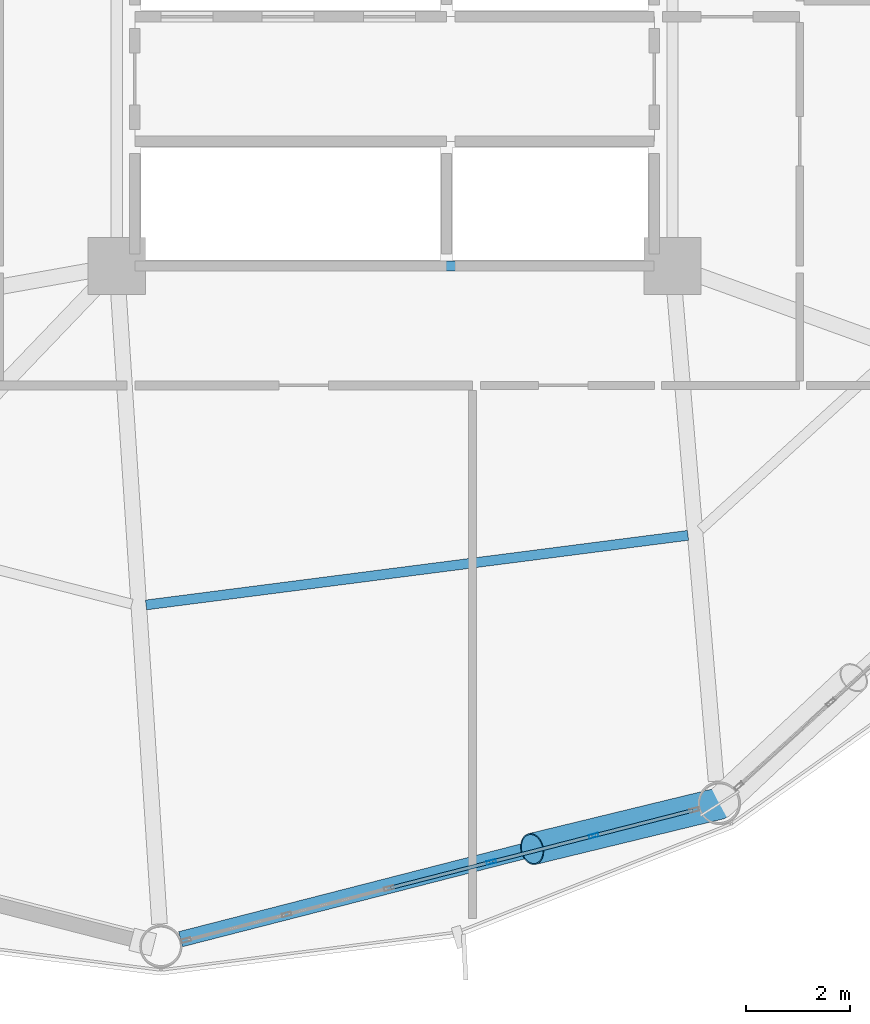
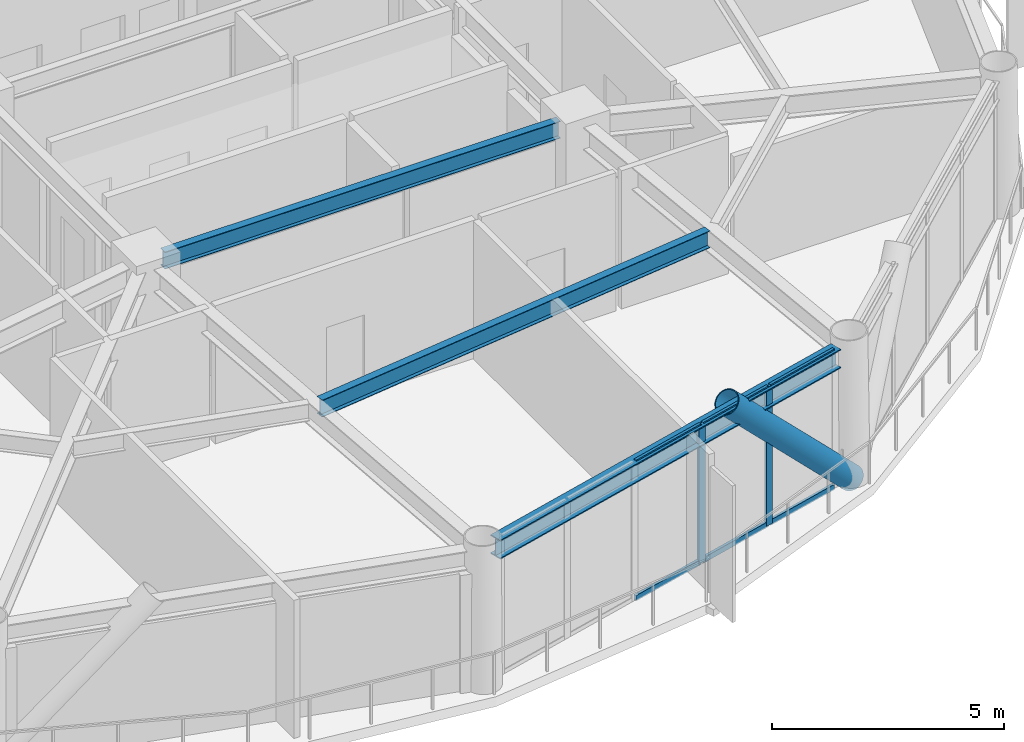
# One storey, part 6 of 25: 9 members, 3 beams, 1 element without a shape of its own.
"""IFC4 building model written with IfcOpenShell, lengths in metres."""

from ifc_helpers import new_model, si_unit, direction, frame, origin, origin_2d, place, context, subcontext, project, spatial, hollow_rectangle, hollow_circle, i_section, extrude, material, layer, layer_set, material_profile, profile_set, type_object, element, aggregate, save


model = new_model("IFC4")

# Units and contexts
model_context = context("Model", 3, precision=1e-05, world=origin(), true_north=direction((0.0, 1.0)))
body_context = subcontext(model_context, "Body", "Model", "MODEL_VIEW")
ifc_project = project(units=[si_unit("LENGTHUNIT", "METRE"), si_unit("AREAUNIT", "SQUARE_METRE"), si_unit("VOLUMEUNIT", "CUBIC_METRE"), si_unit("PLANEANGLEUNIT", "RADIAN"), si_unit("MASSUNIT", "GRAM", prefix="KILO")], contexts=[model_context])

# Site, building, storey
site_placement = place(None, origin())
site = spatial("IfcSite", under=ifc_project, at=site_placement, CompositionType="ELEMENT")
building_placement = place(site_placement, origin())
building = spatial("IfcBuilding", under=site, at=building_placement, Name="Varnakorn Sky Granary", CompositionType="ELEMENT")
storey_placement = place(building_placement, frame((0.0, 0.0, 99.300048828125)))
storey = spatial("IfcBuildingStorey", under=building, at=storey_placement, Name="L24", CompositionType="ELEMENT", Elevation=99.300048828125)

# Beams
ifc_material_1 = material(Name="Steel S355JR", Category="steel")
ifc_material_profile_1 = material_profile(ifc_material_1, i_section(OverallWidth=0.18994140625, OverallDepth=0.449951171875, WebThickness=0.009521484375, FlangeThickness=0.0146484375, at=origin_2d()), Name="IPE 450")
ifc_profile_set_1 = profile_set([ifc_material_profile_1], Name="Steel S355JR")
beam_type_1 = type_object("IfcBeamType", Name="BM-SEC-Z2", PredefinedType="BEAM", material=ifc_profile_set_1)
beam_1_placement = place(storey_placement, frame((-1.78515625, -13.12646484375, 3.4150390625), z_axis=(0.991856727652, 0.127358673874, 0.0), x_axis=(-0.127358673874, 0.991856727652, 0.0)))
element("IfcBeam", 1, at=beam_1_placement, inside=storey, type_object=beam_type_1, Name="Secondary Floor Chord Beam MSB10 L24", PredefinedType="BEAM", context=body_context, shape_type="SweptSolid", body=[
    extrude(i_section(OverallWidth=0.18994140625, OverallDepth=0.449951171875, WebThickness=0.009521484375, FlangeThickness=0.0146484375, at=origin_2d()), origin(), (0.0, 0.0, 1.0), 10.520263671875),
])
beam_2_placement = place(storey_placement, frame((-1.929931640625, -6.60009765625, 3.4150390625), z_axis=(1.0, 0.0, 0.0), x_axis=(0.0, 1.0, 0.0)))
element("IfcBeam", 2, at=beam_2_placement, inside=storey, type_object=beam_type_1, Name="Core Spine Framing Beam 6 L24", PredefinedType="BEAM", context=body_context, shape_type="SweptSolid", body=[
    extrude(i_section(OverallWidth=0.18994140625, OverallDepth=0.449951171875, WebThickness=0.009521484375, FlangeThickness=0.0146484375, at=origin_2d()), origin(), (0.0, 0.0, 1.0), 9.85986328125),
])
ifc_material_profile_2 = material_profile(ifc_material_1, i_section(OverallWidth=0.300048828125, OverallDepth=0.5, WebThickness=0.014404296875, FlangeThickness=0.028076171875, at=origin_2d()), Name="HE 500 B")
ifc_profile_set_2 = profile_set([ifc_material_profile_2], Name="Steel S355JR")
beam_type_2 = type_object("IfcBeamType", Name="BM-SPD-Z2", PredefinedType="SPANDREL", material=ifc_profile_set_2)
beam_3_placement = place(storey_placement, frame((-1.120849609375, -19.562744140625, 3.389892578125), z_axis=(0.968637656568, 0.248477544818, 0.0), x_axis=(-0.248477544818, 0.968637656568, 0.0)))
element("IfcBeam", 3, at=beam_3_placement, inside=storey, type_object=beam_type_2, Name="Perimeter Spandrel Ring Beam RB10 L24", PredefinedType="SPANDREL", context=body_context, shape_type="SweptSolid", body=[
    extrude(i_section(OverallWidth=0.300048828125, OverallDepth=0.5, WebThickness=0.014404296875, FlangeThickness=0.028076171875, at=origin_2d()), origin(), (0.0, 0.0, 1.0), 10.288330078125),
])

# Curtain wall, members
ifc_material_2 = material(Name="Anodised Bronze Aluminium Alloy 6063-T6", Category="aluminium")
ifc_layer = layer(ifc_material_2, 0.18994140625, Name="Anodised Bronze Aluminium Alloy 6063-T6")
ifc_layer_set = layer_set([ifc_layer], Name="Anodised Bronze Aluminium Alloy 6063-T6")
curtain_wall_type = type_object("IfcCurtainWallType", Name="CW-FRM-1", PredefinedType="USERDEFINED", material=ifc_layer_set)
curtain_wall_placement = place(storey_placement, origin())
curtain_wall = element("IfcCurtainWall", 4, at=curtain_wall_placement, inside=storey, type_object=curtain_wall_type, Name="Unitised Curtain Wall CW3 CW-L24-B10", ObjectType="CURTAIN WALL", PredefinedType="USERDEFINED")
ifc_material_profile_3 = material_profile(ifc_material_2, hollow_rectangle(XDim=0.070068359375, YDim=0.18505859375, WallThickness=0.00390625, at=origin_2d()), Name="ALU MULL 70x185")
ifc_profile_set_3 = profile_set([ifc_material_profile_3], Name="Anodised Bronze Aluminium Alloy 6063-T6")
member_type_1 = type_object("IfcMemberType", Name="CW-FRM-1-MULL", PredefinedType="MULLION", material=ifc_profile_set_3)
member_1_placement = place(storey_placement, frame((6.8349609375, -17.57080078125, 0.0), z_axis=(0.0, 0.0, 1.0), x_axis=(0.248284052868, -0.968687271049, 0.0)))
member_1 = element("IfcMember", 5, at=member_1_placement, type_object=member_type_1, Name="CW3 mullion 2", PredefinedType="MULLION", context=body_context, shape_type="SweptSolid", body=[
    extrude(hollow_rectangle(XDim=0.070068359375, YDim=0.18505859375, WallThickness=0.00390625, at=origin_2d()), origin(), (0.0, 0.0, 1.0), 3.639892578125),
])
member_2_placement = place(storey_placement, frame((4.864013671875, -18.075927734375, 0.0), z_axis=(0.0, 0.0, 1.0), x_axis=(0.248284052868, -0.968687271049, 0.0)))
member_2 = element("IfcMember", 6, at=member_2_placement, type_object=member_type_1, Name="CW3 mullion 3", PredefinedType="MULLION", context=body_context, shape_type="SweptSolid", body=[
    extrude(hollow_rectangle(XDim=0.070068359375, YDim=0.18505859375, WallThickness=0.00390625, at=origin_2d()), origin(), (0.0, 0.0, 1.0), 3.639892578125),
])
ifc_material_profile_4 = material_profile(ifc_material_2, hollow_rectangle(XDim=0.070068359375, YDim=0.139892578125, WallThickness=0.00341796875, at=origin_2d()), Name="ALU TRAN 70x140")
ifc_profile_set_4 = profile_set([ifc_material_profile_4], Name="Anodised Bronze Aluminium Alloy 6063-T6")
member_type_2 = type_object("IfcMemberType", Name="CW-FRM-1-TRAN", PredefinedType="USERDEFINED", material=ifc_profile_set_4)
member_3_placement = place(storey_placement, frame((8.73779296875, -17.0830078125, 0.034912109375), z_axis=(-0.968696640867, -0.248247493388, 0.0), x_axis=(0.248247493388, -0.968696640867, 0.0)))
member_3 = element("IfcMember", 7, at=member_3_placement, type_object=member_type_2, Name="CW3 transom 1.1", ObjectType="TRANSOM", PredefinedType="USERDEFINED", context=body_context, shape_type="SweptSolid", body=[
    extrude(hollow_rectangle(XDim=0.070068359375, YDim=0.139892578125, WallThickness=0.00341796875, at=origin_2d()), origin(), (0.0, 0.0, 1.0), 1.929443359375),
])
member_4_placement = place(storey_placement, frame((8.73779296875, -17.0830078125, 3.60498046875), z_axis=(-0.968696640867, -0.248247493388, 0.0), x_axis=(0.248247493388, -0.968696640867, 0.0)))
member_4 = element("IfcMember", 8, at=member_4_placement, type_object=member_type_2, Name="CW3 transom 1.2", ObjectType="TRANSOM", PredefinedType="USERDEFINED", context=body_context, shape_type="SweptSolid", body=[
    extrude(hollow_rectangle(XDim=0.070068359375, YDim=0.139892578125, WallThickness=0.00341796875, at=origin_2d()), origin(), (0.0, 0.0, 1.0), 1.929443359375),
])
member_5_placement = place(storey_placement, frame((6.801025390625, -17.579345703125, 0.034912109375), z_axis=(-0.968685327957, -0.248291633773, 0.0), x_axis=(0.248291633773, -0.968685327957, 0.0)))
member_5 = element("IfcMember", 9, at=member_5_placement, type_object=member_type_2, Name="CW3 transom 2.1", ObjectType="TRANSOM", PredefinedType="USERDEFINED", context=body_context, shape_type="SweptSolid", body=[
    extrude(hollow_rectangle(XDim=0.070068359375, YDim=0.139892578125, WallThickness=0.00341796875, at=origin_2d()), origin(), (0.0, 0.0, 1.0), 1.964599609375),
])
member_6_placement = place(storey_placement, frame((6.801025390625, -17.579345703125, 3.60498046875), z_axis=(-0.968685327957, -0.248291633773, 0.0), x_axis=(0.248291633773, -0.968685327957, 0.0)))
member_6 = element("IfcMember", 10, at=member_6_placement, type_object=member_type_2, Name="CW3 transom 2.2", ObjectType="TRANSOM", PredefinedType="USERDEFINED", context=body_context, shape_type="SweptSolid", body=[
    extrude(hollow_rectangle(XDim=0.070068359375, YDim=0.139892578125, WallThickness=0.00341796875, at=origin_2d()), origin(), (0.0, 0.0, 1.0), 1.964599609375),
])
member_7_placement = place(storey_placement, frame((4.830322265625, -18.08447265625, 0.034912109375), z_axis=(-0.968685327957, -0.248291633773, 0.0), x_axis=(0.248291633773, -0.968685327957, 0.0)))
member_7 = element("IfcMember", 11, at=member_7_placement, type_object=member_type_2, Name="CW3 transom 3.1", ObjectType="TRANSOM", PredefinedType="USERDEFINED", context=body_context, shape_type="SweptSolid", body=[
    extrude(hollow_rectangle(XDim=0.070068359375, YDim=0.139892578125, WallThickness=0.00341796875, at=origin_2d()), origin(), (0.0, 0.0, 1.0), 1.964599609375),
])
member_8_placement = place(storey_placement, frame((4.830322265625, -18.08447265625, 3.60498046875), z_axis=(-0.968685327957, -0.248291633773, 0.0), x_axis=(0.248291633773, -0.968685327957, 0.0)))
member_8 = element("IfcMember", 12, at=member_8_placement, type_object=member_type_2, Name="CW3 transom 3.2", ObjectType="TRANSOM", PredefinedType="USERDEFINED", context=body_context, shape_type="SweptSolid", body=[
    extrude(hollow_rectangle(XDim=0.070068359375, YDim=0.139892578125, WallThickness=0.00341796875, at=origin_2d()), origin(), (0.0, 0.0, 1.0), 1.964599609375),
])
aggregate(curtain_wall, [member_1, member_2, member_3, member_4, member_5, member_6, member_7, member_8])

# Member
ifc_material_3 = material(Name="Steel S460M", Category="steel")
ifc_material_profile_5 = material_profile(ifc_material_3, hollow_circle(Radius=0.304931640625, WallThickness=0.022216796875, at=origin_2d()), Name="CHS 610x22")
ifc_profile_set_5 = profile_set([ifc_material_profile_5], Name="Steel S460M")
member_type_3 = type_object("IfcMemberType", Name="MB-DIAG-T1", PredefinedType="BRACE", material=ifc_profile_set_5)
member_9_placement = place(storey_placement, frame((9.257568359375, -16.94970703125, 0.0), z_axis=(-0.680041440888, -0.165190389931, 0.714321897851), x_axis=(0.236047886364, -0.971741424116, 0.0)))
element("IfcMember", 13, at=member_9_placement, inside=storey, type_object=member_type_3, Name="Perimeter CHS Diagrid Brace DG10 L24", PredefinedType="BRACE", context=body_context, shape_type="SweptSolid", body=[
    extrude(hollow_circle(Radius=0.304931640625, WallThickness=0.022216796875, at=origin_2d()), origin(), (0.0, 0.0, 1.0), 5.3056640625),
])

save(model, "model.ifc")
